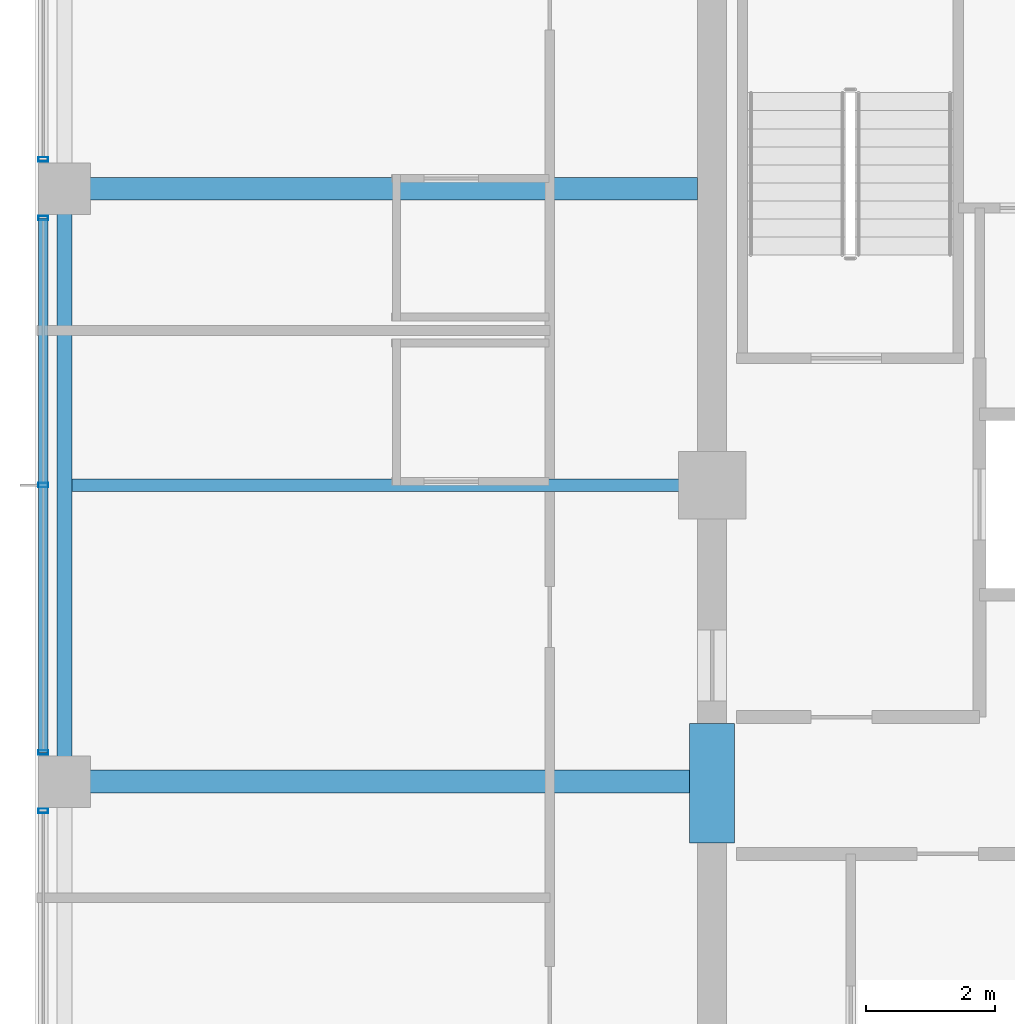
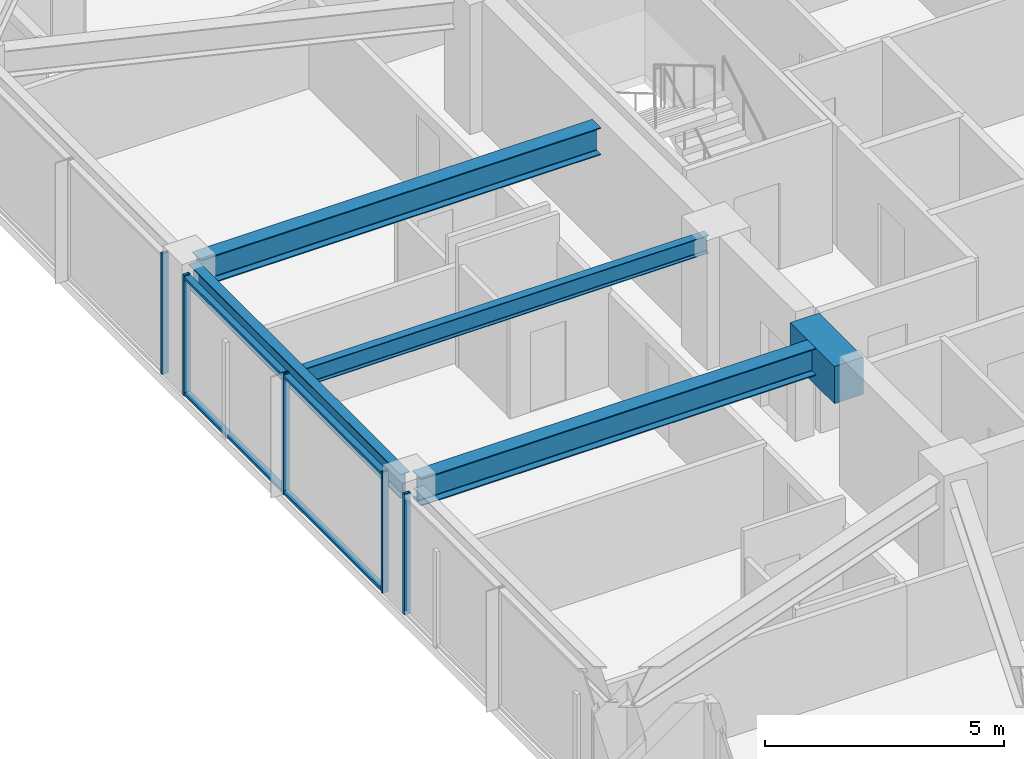
# One storey, part 9 of 36: 7 members, 5 beams, 3 elements without a shape of their own.
"""IFC4 building model written with IfcOpenShell, lengths in metres."""

from ifc_helpers import new_model, si_unit, direction, frame, origin, origin_2d, place, context, subcontext, project, spatial, rectangle, hollow_rectangle, i_section, extrude, material, material_profile, profile_set, type_object, element, aggregate, save


model = new_model("IFC4")

# Units and contexts
model_context = context("Model", 3, precision=1e-05, world=origin(), true_north=direction((0.0, 1.0)))
body_context = subcontext(model_context, "Body", "Model", "MODEL_VIEW")
ifc_project = project(units=[si_unit("LENGTHUNIT", "METRE"), si_unit("AREAUNIT", "SQUARE_METRE"), si_unit("VOLUMEUNIT", "CUBIC_METRE"), si_unit("PLANEANGLEUNIT", "RADIAN"), si_unit("MASSUNIT", "GRAM", prefix="KILO")], contexts=[model_context])

# Site, building, storey
site_placement = place(None, origin())
site = spatial("IfcSite", under=ifc_project, at=site_placement, CompositionType="ELEMENT")
building_placement = place(site_placement, origin())
building = spatial("IfcBuilding", under=site, at=building_placement, Name="Kolvaren Belvedere", CompositionType="ELEMENT")
storey_placement = place(building_placement, frame((0.0, 0.0, 226.199951171875)))
storey = spatial("IfcBuildingStorey", under=building, at=storey_placement, Name="L66", CompositionType="ELEMENT", Elevation=226.199951171875)

# Beams
ifc_material_1 = material(Name="Structural steel ASTM A992 Grade 50", Category="steel")
ifc_material_profile_1 = material_profile(ifc_material_1, i_section(OverallWidth=0.35498046875, OverallDepth=0.696044921875, WebThickness=0.015380859375, FlangeThickness=0.02490234375, FilletRadius=0.02197265625, at=origin_2d()), Name="W27X146")
ifc_profile_set_1 = profile_set([ifc_material_profile_1], Name="Structural steel ASTM A992 Grade 50")
beam_type_1 = type_object("IfcBeamType", Name="BM-GIRD-W27X146", PredefinedType="BEAM", material=ifc_profile_set_1)
for number, where, z_axis, x_axis, name in (
    (1, (-10.125, 4.60009765625, 2.73193359375), (-1.0, 0.0, 0.0), (0.0, -1.0, 0.0), "L66 West Radial Girder P"),
    (2, (-10.125, -4.60009765625, 2.73193359375), (-1.0, 0.0, 0.0), (0.0, -1.0, 0.0), "L66 West Radial Girder M"),
):
    element("IfcBeam", number, at=place(storey_placement, frame(where, z_axis=z_axis, x_axis=x_axis)), inside=storey, type_object=beam_type_1, Name=name, PredefinedType="BEAM", context=body_context, shape_type="SweptSolid", body=[
        extrude(i_section(OverallWidth=0.35498046875, OverallDepth=0.696044921875, WebThickness=0.015380859375, FlangeThickness=0.02490234375, FilletRadius=0.02197265625, at=origin_2d()), origin(), (0.0, 0.0, 1.0), 9.64501953125),
    ])
ifc_material_2 = material(Name="Structural steel ASTM A992 Grade 50", Category="steel")
ifc_material_profile_2 = material_profile(ifc_material_2, i_section(OverallWidth=0.19091796875, OverallDepth=0.4599609375, WebThickness=0.010009765625, FlangeThickness=0.01611328125, FilletRadius=0.014892578125, at=origin_2d()), Name="W18X55")
ifc_profile_set_2 = profile_set([ifc_material_profile_2], Name="Structural steel ASTM A992 Grade 50")
beam_type_2 = type_object("IfcBeamType", Name="BM-JOIST-W18X55", PredefinedType="BEAM", material=ifc_profile_set_2)
beam_1_placement = place(storey_placement, frame((-10.125, 0.0, 2.85009765625), z_axis=(-1.0, 0.0, 0.0), x_axis=(0.0, -1.0, 0.0)))
element("IfcBeam", 3, at=beam_1_placement, inside=storey, type_object=beam_type_2, Name="L66 West Centre Floor Beam", PredefinedType="BEAM", context=body_context, shape_type="SweptSolid", body=[
    extrude(i_section(OverallWidth=0.19091796875, OverallDepth=0.4599609375, WebThickness=0.010009765625, FlangeThickness=0.01611328125, FilletRadius=0.014892578125, at=origin_2d()), origin(), (0.0, 0.0, 1.0), 9.71044921875),
])
ifc_material_3 = material(Name="Concrete C60/75", Category="concrete")
ifc_material_profile_3 = material_profile(ifc_material_3, rectangle(XDim=0.699951171875, YDim=0.949951171875, at=origin_2d()), Name="RC 700X950")
ifc_profile_set_3 = profile_set([ifc_material_profile_3], Name="Concrete C60/75")
beam_type_3 = type_object("IfcBeamType", Name="BM-LINT-950", PredefinedType="LINTEL", material=ifc_profile_set_3)
beam_2_placement = place(storey_placement, frame((-9.89990234375, -5.550048828125, 2.60498046875), z_axis=(0.0, 1.0, 0.0), x_axis=(-1.0, 0.0, 0.0)))
element("IfcBeam", 4, at=beam_2_placement, inside=storey, type_object=beam_type_3, Name="L66 West Core Coupling Lintel", PredefinedType="LINTEL", context=body_context, shape_type="SweptSolid", body=[
    extrude(rectangle(XDim=0.699951171875, YDim=0.949951171875, at=origin_2d()), origin(), (0.0, 0.0, 1.0), 1.85009765625),
])
ifc_material_4 = material(Name="Structural steel ASTM A992 Grade 50", Category="steel")
ifc_material_profile_4 = material_profile(ifc_material_4, i_section(OverallWidth=0.22900390625, OverallDepth=0.612060546875, WebThickness=0.011962890625, FlangeThickness=0.01953125, FilletRadius=0.01806640625, at=origin_2d()), Name="W24X84")
ifc_profile_set_4 = profile_set([ifc_material_profile_4], Name="Structural steel ASTM A992 Grade 50")
beam_type_4 = type_object("IfcBeamType", Name="BM-SPAN-W24X84", PredefinedType="SPANDREL", material=ifc_profile_set_4)
beam_3_placement = place(storey_placement, frame((-19.949951171875, 4.419921875, 2.774169921875), z_axis=(0.0, -1.0, 0.0), x_axis=(1.0, 0.0, 0.0)))
element("IfcBeam", 5, at=beam_3_placement, inside=storey, type_object=beam_type_4, Name="L66 Perimeter Spandrel W3-W2", PredefinedType="SPANDREL", context=body_context, shape_type="SweptSolid", body=[
    extrude(i_section(OverallWidth=0.22900390625, OverallDepth=0.612060546875, WebThickness=0.011962890625, FlangeThickness=0.01953125, FilletRadius=0.01806640625, at=origin_2d()), origin(), (0.0, 0.0, 1.0), 8.83984375),
])

# Curtain wall, member
ifc_material_5 = material(Name="Anodised pale-metal aluminium AA 6063-T6", Category="aluminium")
curtain_wall_type = type_object("IfcCurtainWallType", Name="CW-Z5-HIGH", PredefinedType="NOTDEFINED", material=ifc_material_5)
curtain_wall_1_placement = place(storey_placement, origin())
curtain_wall_1 = element("IfcCurtainWall", 6, at=curtain_wall_1_placement, inside=storey, type_object=curtain_wall_type, Name="L66 Unitised Curtain Wall FCW-L66-W-B1", PredefinedType="NOTDEFINED")
ifc_material_6 = material(Name="Anodised pale-metal aluminium AA 6063-T6", Category="aluminium")
ifc_material_profile_5 = material_profile(ifc_material_6, hollow_rectangle(XDim=0.070068359375, YDim=0.14990234375, WallThickness=0.004150390625, at=origin_2d()), Name="ALU-MUL-150X70")
ifc_profile_set_5 = profile_set([ifc_material_profile_5], Name="Anodised pale-metal aluminium AA 6063-T6")
member_type_1 = type_object("IfcMemberType", Name="CW-MUL-150", PredefinedType="MULLION", material=ifc_profile_set_5)
member_1_placement = place(storey_placement, frame((-20.280029296875, -5.054931640625, 0.0), z_axis=(0.0, 0.0, 1.0), x_axis=(0.0, 1.0, 0.0)))
member_1 = element("IfcMember", 7, at=member_1_placement, type_object=member_type_1, Name="FCW-L66-W-B1 Unitised Mullion 3", PredefinedType="MULLION", context=body_context, shape_type="SweptSolid", body=[
    extrude(hollow_rectangle(XDim=0.070068359375, YDim=0.14990234375, WallThickness=0.004150390625, at=origin_2d()), origin(), (0.0, 0.0, 1.0), 3.080078125),
])
aggregate(curtain_wall_1, [member_1])

# Curtain wall, members
curtain_wall_2_placement = place(storey_placement, origin())
curtain_wall_2 = element("IfcCurtainWall", 8, at=curtain_wall_2_placement, inside=storey, type_object=curtain_wall_type, Name="L66 Unitised Curtain Wall FCW-L66-W-B2", PredefinedType="NOTDEFINED")
member_2_placement = place(storey_placement, frame((-20.280029296875, -4.14501953125, 0.0), z_axis=(0.0, 0.0, 1.0), x_axis=(0.0, 1.0, 0.0)))
member_2 = element("IfcMember", 9, at=member_2_placement, type_object=member_type_1, Name="FCW-L66-W-B2 Unitised Mullion 1", PredefinedType="MULLION", context=body_context, shape_type="SweptSolid", body=[
    extrude(hollow_rectangle(XDim=0.070068359375, YDim=0.14990234375, WallThickness=0.004150390625, at=origin_2d()), origin(), (0.0, 0.0, 1.0), 3.080078125),
])
member_3_placement = place(storey_placement, frame((-20.280029296875, 0.0, 0.0), z_axis=(0.0, 0.0, 1.0), x_axis=(0.0, 1.0, 0.0)))
member_3 = element("IfcMember", 10, at=member_3_placement, type_object=member_type_1, Name="FCW-L66-W-B2 Unitised Mullion 2", PredefinedType="MULLION", context=body_context, shape_type="SweptSolid", body=[
    extrude(hollow_rectangle(XDim=0.070068359375, YDim=0.14990234375, WallThickness=0.004150390625, at=origin_2d()), origin(), (0.0, 0.0, 1.0), 3.080078125),
])
member_4_placement = place(storey_placement, frame((-20.280029296875, 4.14501953125, 0.0), z_axis=(0.0, 0.0, 1.0), x_axis=(0.0, 1.0, 0.0)))
member_4 = element("IfcMember", 11, at=member_4_placement, type_object=member_type_1, Name="FCW-L66-W-B2 Unitised Mullion 3", PredefinedType="MULLION", context=body_context, shape_type="SweptSolid", body=[
    extrude(hollow_rectangle(XDim=0.070068359375, YDim=0.14990234375, WallThickness=0.004150390625, at=origin_2d()), origin(), (0.0, 0.0, 1.0), 3.080078125),
])

# Curtain wall, member
curtain_wall_3_placement = place(storey_placement, origin())
curtain_wall_3 = element("IfcCurtainWall", 12, at=curtain_wall_3_placement, inside=storey, type_object=curtain_wall_type, Name="L66 Unitised Curtain Wall FCW-L66-W-B3", PredefinedType="NOTDEFINED")
member_5_placement = place(storey_placement, frame((-20.280029296875, 5.054931640625, 0.0), z_axis=(0.0, 0.0, 1.0), x_axis=(0.0, 1.0, 0.0)))
member_5 = element("IfcMember", 13, at=member_5_placement, type_object=member_type_1, Name="FCW-L66-W-B3 Unitised Mullion 1", PredefinedType="MULLION", context=body_context, shape_type="SweptSolid", body=[
    extrude(hollow_rectangle(XDim=0.070068359375, YDim=0.14990234375, WallThickness=0.004150390625, at=origin_2d()), origin(), (0.0, 0.0, 1.0), 3.080078125),
])
aggregate(curtain_wall_3, [member_5])

# Member
ifc_material_7 = material(Name="Anodised pale-metal aluminium AA 6063-T6", Category="aluminium")
ifc_material_profile_6 = material_profile(ifc_material_7, hollow_rectangle(XDim=0.06494140625, YDim=0.14990234375, WallThickness=0.00390625, at=origin_2d()), Name="ALU-TRN-150X65")
ifc_profile_set_6 = profile_set([ifc_material_profile_6], Name="Anodised pale-metal aluminium AA 6063-T6")
member_type_2 = type_object("IfcMemberType", Name="CW-TRN-150", PredefinedType="USERDEFINED", material=ifc_profile_set_6)
member_6_placement = place(storey_placement, frame((-20.280029296875, -4.14501953125, 0.06005859375), z_axis=(0.0, 1.0, 0.0), x_axis=(0.0, 0.0, 1.0)))
member_6 = element("IfcMember", 14, at=member_6_placement, type_object=member_type_2, Name="FCW-L66-W-B2 Sill Transom", ObjectType="TRANSOM", PredefinedType="USERDEFINED", context=body_context, shape_type="SweptSolid", body=[
    extrude(hollow_rectangle(XDim=0.06494140625, YDim=0.14990234375, WallThickness=0.00390625, at=origin_2d()), origin(), (0.0, 0.0, 1.0), 8.2900390625),
])

member_7_placement = place(storey_placement, frame((-20.280029296875, -4.14501953125, 3.02001953125), z_axis=(0.0, 1.0, 0.0), x_axis=(0.0, 0.0, 1.0)))
member_7 = element("IfcMember", 15, at=member_7_placement, type_object=member_type_2, Name="FCW-L66-W-B2 Head Transom", ObjectType="TRANSOM", PredefinedType="USERDEFINED", context=body_context, shape_type="SweptSolid", body=[
    extrude(hollow_rectangle(XDim=0.06494140625, YDim=0.14990234375, WallThickness=0.00390625, at=origin_2d()), origin(), (0.0, 0.0, 1.0), 8.2900390625),
])

aggregate(curtain_wall_2, [member_2, member_3, member_4, member_6, member_7])

save(model, "model.ifc")
